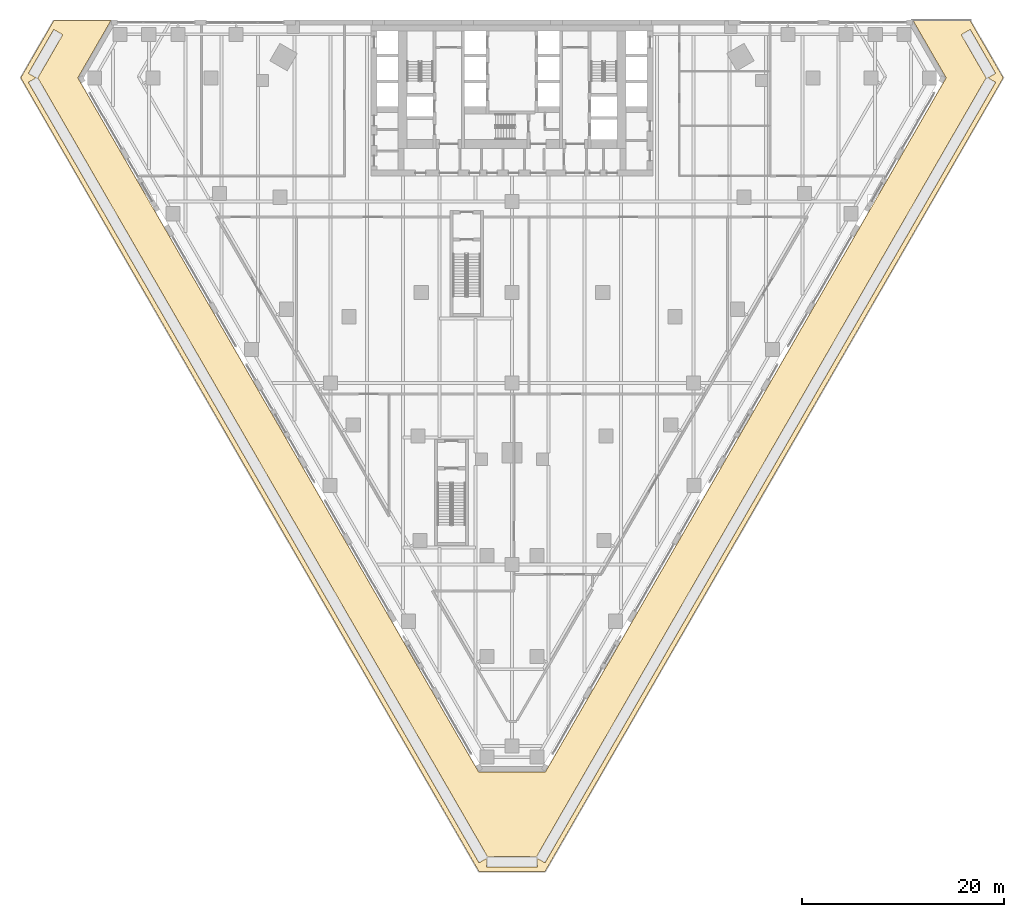
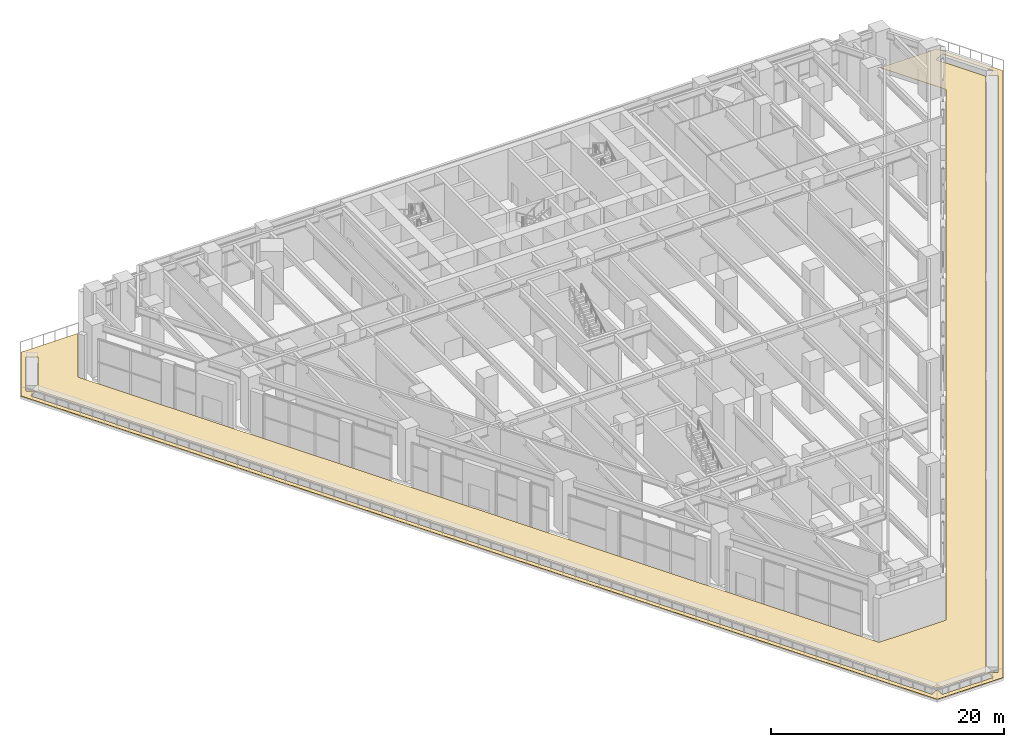
# One storey, part 28 of 30: 1 covering.
"""IFC4 building model written with IfcOpenShell, lengths in metres."""

from ifc_helpers import new_model, si_unit, direction, frame, origin, place, context, subcontext, project, spatial, polyline, outline, extrude, material, layer, layer_set, type_object, element, save


model = new_model("IFC4")

# Units and contexts
model_context = context("Model", 3, precision=1e-05, world=origin(), true_north=direction((0.0, 1.0)))
body_context = subcontext(model_context, "Body", "Model", "MODEL_VIEW")
ifc_project = project(units=[si_unit("LENGTHUNIT", "METRE"), si_unit("AREAUNIT", "SQUARE_METRE"), si_unit("VOLUMEUNIT", "CUBIC_METRE"), si_unit("PLANEANGLEUNIT", "RADIAN"), si_unit("MASSUNIT", "GRAM", prefix="KILO")], contexts=[model_context])

# Site, building, storey
site_placement = place(None, origin())
site = spatial("IfcSite", under=ifc_project, at=site_placement, CompositionType="ELEMENT")
building_placement = place(site_placement, origin())
building = spatial("IfcBuilding", under=site, at=building_placement, Name="Aloe Facet Convention Tower", CompositionType="ELEMENT")
storey_placement = place(building_placement, frame((0.0, 0.0, 19.5)))
storey = spatial("IfcBuildingStorey", under=building, at=storey_placement, Name="L03", CompositionType="ELEMENT", Elevation=19.5)

# Covering
ifc_material = material(Name="Granite paving, bedded", Category="masonry")
ifc_layer = layer(ifc_material, 0.0400390625)
ifc_layer_set = layer_set([ifc_layer], Name="EV-PAVING")
covering_type = type_object("IfcCoveringType", Name="EV-PAVING", PredefinedType="FLOORING", material=ifc_layer_set)
covering_placement = place(storey_placement, origin())
element("IfcCovering", 1, at=covering_placement, inside=storey, type_object=covering_type, Name="PAVING PT-L03-1-1", PredefinedType="FLOORING", context=body_context, shape_type="SweptSolid", body=[
    extrude(outline(polyline([(128.736328125, 129.2841796875), (83.271240234375, 50.536376953125), (76.728759765625, 50.536376953125), (31.263671875, 129.2841796875), (34.534912109375, 134.949951171875), (40.19287109375, 134.949951171875), (36.936279296875, 129.309326171875), (36.93408203125, 129.304931640625), (36.93212890625, 129.300537109375), (36.930908203125, 129.2958984375), (36.929931640625, 129.291259765625), (36.929443359375, 129.28662109375), (36.929443359375, 129.28173828125), (36.929931640625, 129.277099609375), (36.930908203125, 129.2724609375), (36.93212890625, 129.267822265625), (36.93408203125, 129.263427734375), (36.936279296875, 129.25927734375), (76.65673828125, 60.461181640625), (76.6591796875, 60.457275390625), (76.662109375, 60.45361328125), (76.66552734375, 60.4501953125), (76.669189453125, 60.447021484375), (76.6728515625, 60.4443359375), (76.677001953125, 60.44189453125), (76.681396484375, 60.43994140625), (76.68603515625, 60.438232421875), (76.6904296875, 60.437255859375), (76.6953125, 60.4365234375), (76.699951171875, 60.436279296875), (83.300048828125, 60.436279296875), (83.3046875, 60.4365234375), (83.3095703125, 60.437255859375), (83.31396484375, 60.438232421875), (83.318603515625, 60.43994140625), (83.322998046875, 60.44189453125), (83.3271484375, 60.4443359375), (83.330810546875, 60.447021484375), (83.33447265625, 60.4501953125), (83.337890625, 60.45361328125), (83.3408203125, 60.457275390625), (83.34326171875, 60.461181640625), (123.063720703125, 129.25927734375), (123.06591796875, 129.263427734375), (123.06787109375, 129.267822265625), (123.069091796875, 129.2724609375), (123.070068359375, 129.277099609375), (123.070556640625, 129.28173828125), (123.070556640625, 129.28662109375), (123.070068359375, 129.291259765625), (123.069091796875, 129.2958984375), (123.06787109375, 129.300537109375), (123.06591796875, 129.304931640625), (123.063720703125, 129.309326171875), (119.80712890625, 134.949951171875), (125.465087890625, 134.949951171875), (128.736328125, 129.2841796875)]), holes=[polyline([(77.47998046875, 51.83740234375), (77.47998046875, 50.986328125), (77.47998046875, 50.984375), (77.48046875, 50.982421875), (77.48095703125, 50.98046875), (77.4814453125, 50.978759765625), (77.482421875, 50.976806640625), (77.4833984375, 50.97509765625), (77.484619140625, 50.9736328125), (77.48583984375, 50.97216796875), (77.4873046875, 50.970947265625), (77.48876953125, 50.9697265625), (77.490478515625, 50.96875), (77.492431640625, 50.9677734375), (77.494140625, 50.967041015625), (77.49609375, 50.966796875), (77.498046875, 50.96630859375), (77.5, 50.96630859375), (82.5, 50.96630859375), (82.501953125, 50.96630859375), (82.50390625, 50.966796875), (82.505859375, 50.967041015625), (82.507568359375, 50.9677734375), (82.509521484375, 50.96875), (82.51123046875, 50.9697265625), (82.5126953125, 50.970947265625), (82.51416015625, 50.97216796875), (82.515380859375, 50.9736328125), (82.5166015625, 50.97509765625), (82.517578125, 50.976806640625), (82.5185546875, 50.978759765625), (82.51904296875, 50.98046875), (82.51953125, 50.982421875), (82.52001953125, 50.984375), (82.52001953125, 50.986328125), (82.52001953125, 51.83740234375), (83.257080078125, 51.411865234375), (83.2587890625, 51.410888671875), (83.260498046875, 51.41015625), (83.262451171875, 51.40966796875), (83.264404296875, 51.4091796875), (83.266357421875, 51.4091796875), (83.268310546875, 51.4091796875), (83.270263671875, 51.409423828125), (83.272216796875, 51.409912109375), (83.27392578125, 51.410400390625), (83.27587890625, 51.4111328125), (83.277587890625, 51.412109375), (83.279052734375, 51.413330078125), (83.28076171875, 51.41455078125), (83.281982421875, 51.416015625), (83.283203125, 51.41748046875), (83.284423828125, 51.419189453125), (127.978271484375, 128.831298828125), (127.979248046875, 128.833251953125), (127.97998046875, 128.8349609375), (127.98046875, 128.8369140625), (127.980712890625, 128.8388671875), (127.98095703125, 128.8408203125), (127.98095703125, 128.8427734375), (127.980712890625, 128.8447265625), (127.980224609375, 128.8466796875), (127.979736328125, 128.848388671875), (127.97900390625, 128.850341796875), (127.97802734375, 128.85205078125), (127.976806640625, 128.853515625), (127.9755859375, 128.85498046875), (127.97412109375, 128.8564453125), (127.97265625, 128.857666015625), (127.970947265625, 128.858642578125), (127.234130859375, 129.2841796875), (127.970947265625, 129.709716796875), (127.97265625, 129.710693359375), (127.97412109375, 129.7119140625), (127.9755859375, 129.71337890625), (127.976806640625, 129.71484375), (127.97802734375, 129.716552734375), (127.97900390625, 129.71826171875), (127.979736328125, 129.719970703125), (127.980224609375, 129.721923828125), (127.980712890625, 129.723876953125), (127.98095703125, 129.725830078125), (127.98095703125, 129.727783203125), (127.980712890625, 129.729736328125), (127.98046875, 129.731689453125), (127.97998046875, 129.7333984375), (127.979248046875, 129.7353515625), (127.978271484375, 129.737060546875), (125.478271484375, 134.067138671875), (125.477294921875, 134.06884765625), (125.47607421875, 134.0703125), (125.474609375, 134.07177734375), (125.47314453125, 134.072998046875), (125.4716796875, 134.07421875), (125.4697265625, 134.0751953125), (125.468017578125, 134.075927734375), (125.466064453125, 134.076416015625), (125.46435546875, 134.076904296875), (125.46240234375, 134.0771484375), (125.46044921875, 134.0771484375), (125.45849609375, 134.076904296875), (125.45654296875, 134.07666015625), (125.45458984375, 134.076171875), (125.45263671875, 134.075439453125), (125.450927734375, 134.074462890625), (124.5849609375, 133.574462890625), (124.583251953125, 133.573486328125), (124.581787109375, 133.572265625), (124.580322265625, 133.57080078125), (124.5791015625, 133.5693359375), (124.577880859375, 133.567626953125), (124.5771484375, 133.56591796875), (124.576171875, 133.564208984375), (124.57568359375, 133.562255859375), (124.5751953125, 133.560546875), (124.574951171875, 133.55859375), (124.574951171875, 133.556640625), (124.5751953125, 133.5546875), (124.575439453125, 133.552734375), (124.575927734375, 133.55078125), (124.57666015625, 133.548828125), (124.57763671875, 133.547119140625), (127.038818359375, 129.2841796875), (82.42236328125, 52.00634765625), (77.57763671875, 52.00634765625), (32.961181640625, 129.2841796875), (35.42236328125, 133.547119140625), (35.42333984375, 133.548828125), (35.424072265625, 133.55078125), (35.424560546875, 133.552734375), (35.4248046875, 133.5546875), (35.425048828125, 133.556640625), (35.425048828125, 133.55859375), (35.4248046875, 133.560546875), (35.42431640625, 133.562255859375), (35.423828125, 133.564208984375), (35.4228515625, 133.56591796875), (35.422119140625, 133.567626953125), (35.4208984375, 133.5693359375), (35.419677734375, 133.57080078125), (35.418212890625, 133.572265625), (35.416748046875, 133.573486328125), (35.4150390625, 133.574462890625), (34.549072265625, 134.074462890625), (34.54736328125, 134.075439453125), (34.54541015625, 134.076171875), (34.54345703125, 134.07666015625), (34.54150390625, 134.076904296875), (34.53955078125, 134.0771484375), (34.53759765625, 134.0771484375), (34.53564453125, 134.076904296875), (34.533935546875, 134.076416015625), (34.531982421875, 134.075927734375), (34.5302734375, 134.0751953125), (34.5283203125, 134.07421875), (34.52685546875, 134.072998046875), (34.525390625, 134.07177734375), (34.52392578125, 134.0703125), (34.522705078125, 134.06884765625), (34.521728515625, 134.067138671875), (32.021728515625, 129.737060546875), (32.020751953125, 129.7353515625), (32.02001953125, 129.7333984375), (32.01953125, 129.731689453125), (32.019287109375, 129.729736328125), (32.01904296875, 129.727783203125), (32.01904296875, 129.725830078125), (32.019287109375, 129.723876953125), (32.019775390625, 129.721923828125), (32.020263671875, 129.719970703125), (32.02099609375, 129.71826171875), (32.02197265625, 129.716552734375), (32.023193359375, 129.71484375), (32.0244140625, 129.71337890625), (32.02587890625, 129.7119140625), (32.02734375, 129.710693359375), (32.029052734375, 129.709716796875), (32.765869140625, 129.2841796875), (32.029052734375, 128.858642578125), (32.02734375, 128.857666015625), (32.02587890625, 128.8564453125), (32.0244140625, 128.85498046875), (32.023193359375, 128.853515625), (32.02197265625, 128.85205078125), (32.02099609375, 128.850341796875), (32.020263671875, 128.848388671875), (32.019775390625, 128.8466796875), (32.019287109375, 128.8447265625), (32.01904296875, 128.8427734375), (32.01904296875, 128.8408203125), (32.019287109375, 128.8388671875), (32.01953125, 128.8369140625), (32.02001953125, 128.8349609375), (32.020751953125, 128.833251953125), (32.021728515625, 128.831298828125), (76.715576171875, 51.419189453125), (76.716796875, 51.41748046875), (76.718017578125, 51.416015625), (76.71923828125, 51.41455078125), (76.720947265625, 51.413330078125), (76.722412109375, 51.412109375), (76.72412109375, 51.4111328125), (76.72607421875, 51.410400390625), (76.727783203125, 51.409912109375), (76.729736328125, 51.409423828125), (76.731689453125, 51.4091796875), (76.733642578125, 51.4091796875), (76.735595703125, 51.4091796875), (76.737548828125, 51.40966796875), (76.739501953125, 51.41015625), (76.7412109375, 51.410888671875), (76.742919921875, 51.411865234375), (77.47998046875, 51.83740234375)])]), origin(), (0.0, 0.0, 1.0), 0.0400390625),
])

save(model, "model.ifc")
